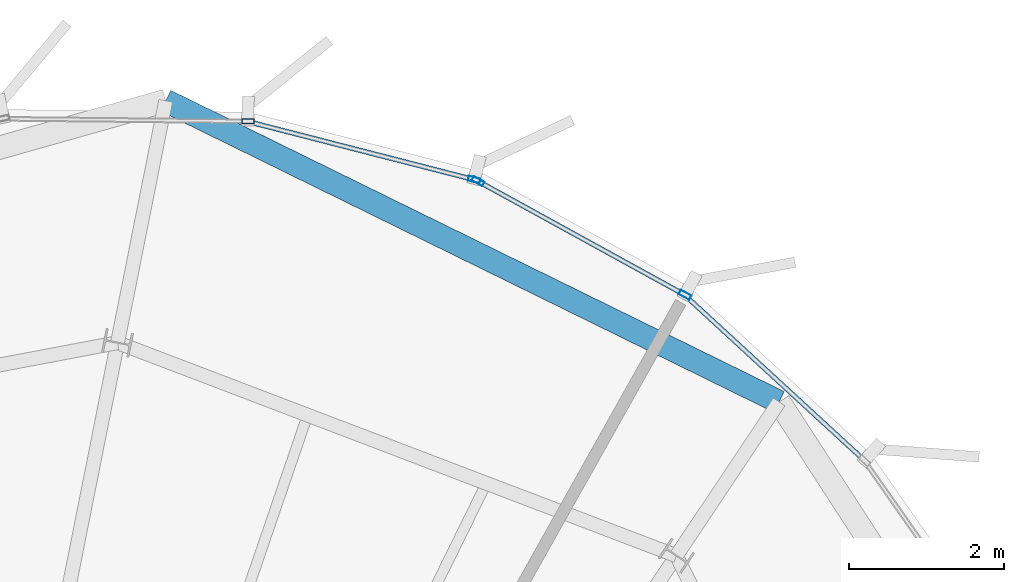
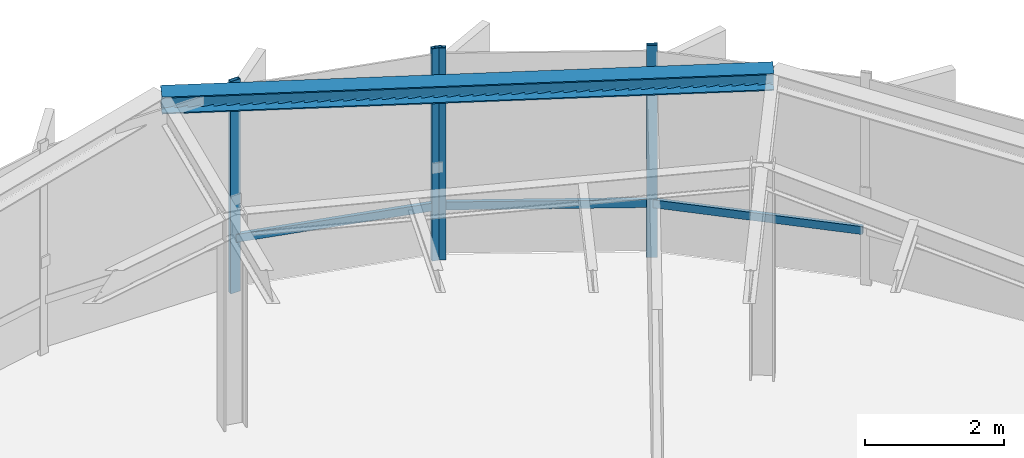
# One storey, part 19 of 27: 7 members, 1 beam, 2 elements without a shape of their own.
"""IFC4 building model written with IfcOpenShell, lengths in metres."""

from ifc_helpers import new_model, si_unit, direction, frame, origin, origin_2d, place, context, subcontext, project, spatial, hollow_rectangle, i_section, extrude, source, transform, mapped, material, layer, layer_set, material_profile, profile_set, type_object, element, aggregate, save


model = new_model("IFC4")

# Units and contexts
model_context = context("Model", 3, precision=1e-05, world=origin(), true_north=direction((0.0, 1.0)))
body_context = subcontext(model_context, "Body", "Model", "MODEL_VIEW")
ifc_project = project(units=[si_unit("LENGTHUNIT", "METRE"), si_unit("AREAUNIT", "SQUARE_METRE"), si_unit("VOLUMEUNIT", "CUBIC_METRE"), si_unit("PLANEANGLEUNIT", "RADIAN"), si_unit("MASSUNIT", "GRAM", prefix="KILO"), si_unit("THERMODYNAMICTEMPERATUREUNIT", "KELVIN")], contexts=[model_context])

# Site, building, storey
site_placement = place(None, origin())
site = spatial("IfcSite", under=ifc_project, at=site_placement, CompositionType="ELEMENT")
building_placement = place(site_placement, origin())
building = spatial("IfcBuilding", under=site, at=building_placement, Name="Kethvar Cultural Tower", CompositionType="ELEMENT")
storey_placement = place(building_placement, frame((0.0, 0.0, 308.300048828125)))
storey = spatial("IfcBuildingStorey", under=building, at=storey_placement, Name="L82", CompositionType="ELEMENT", Elevation=308.300048828125)

# Beam
ifc_material_1 = material(Name="Steel S355J2", Category="steel")
ifc_material_profile_1 = material_profile(ifc_material_1, i_section(OverallWidth=0.300048828125, OverallDepth=0.300048828125, WebThickness=0.010986328125, FlangeThickness=0.01904296875, FilletRadius=0.027099609375, at=origin_2d()), Name="Steel S355J2 — HEB300")
ifc_profile_set_1 = profile_set([ifc_material_profile_1], Name="Steel S355J2 — HEB300")
beam_type = type_object("IfcBeamType", Name="BM-SP300", PredefinedType="SPANDREL", material=ifc_profile_set_1)
shared_shape_1 = source(origin(), body_context, "Body", "SweptSolid", [
    extrude(i_section(OverallWidth=0.300048828125, OverallDepth=0.300048828125, WebThickness=0.010986328125, FlangeThickness=0.01904296875, FilletRadius=0.027099609375, at=origin_2d()), origin(), (0.0, 0.0, 1.0), 8.841796875),
])
beam_placement = place(storey_placement, frame((59.20458984375, 46.364501953125, 3.5830078125), z_axis=(-0.897634442877, 0.440740748015, 0.0), x_axis=(-0.440740748015, -0.897634442877, 0.0)))
element("IfcBeam", 1, at=beam_placement, inside=storey, type_object=beam_type, Name="L82 Perimeter Spandrel Beam SP-03", PredefinedType="SPANDREL", context=body_context, shape_type="MappedRepresentation", body=[
    mapped(shared_shape_1, transform((0.0, 0.0, 0.0), scale=1.0)),
])

# Curtain wall, members
ifc_material_2 = material(Name="Aluminium 6063-T6", Category="aluminium")
ifc_layer = layer(ifc_material_2, 0.179931640625, Name="Aluminium 6063-T6", Category="aluminium")
ifc_layer_set = layer_set([ifc_layer], Name="Aluminium 6063-T6 (180 mm)")
curtain_wall_type = type_object("IfcCurtainWallType", Name="CW-SYS-06-CROWN", PredefinedType="NOTDEFINED", material=ifc_layer_set)
curtain_wall_1_placement = place(storey_placement, origin())
curtain_wall_1 = element("IfcCurtainWall", 2, at=curtain_wall_1_placement, inside=storey, type_object=curtain_wall_type, Name="L82 Curtain Wall Run 01", PredefinedType="NOTDEFINED")
ifc_material_profile_2 = material_profile(ifc_material_2, hollow_rectangle(XDim=0.06494140625, YDim=0.159912109375, WallThickness=0.0048828125, at=origin_2d()), Name="Aluminium 6063-T6 — RHS160x65x5")
ifc_profile_set_2 = profile_set([ifc_material_profile_2], Name="Aluminium 6063-T6 — RHS160x65x5")
member_type_1 = type_object("IfcMemberType", Name="CW-SYS-06-CROWN-MUL", PredefinedType="MULLION", material=ifc_profile_set_2)
shared_shape_2 = source(origin(), body_context, "Body", "SweptSolid", [
    extrude(hollow_rectangle(XDim=0.06494140625, YDim=0.159912109375, WallThickness=0.0048828125, at=origin_2d()), origin(), (0.0, 0.0, 1.0), 3.73486328125),
])
member_1_placement = place(storey_placement, frame((55.259765625, 49.239990234375, 0.0), z_axis=(0.0, 0.0, 1.0), x_axis=(-0.248723696944, -0.968574479624, 0.0)))
member_1 = element("IfcMember", 3, at=member_1_placement, type_object=member_type_1, Name="CW-L82-R01 Mullion 1", PredefinedType="MULLION", context=body_context, shape_type="MappedRepresentation", body=[
    mapped(shared_shape_2, transform((0.0, 0.0, 0.0), scale=1.0)),
])
member_2_placement = place(storey_placement, frame((52.331298828125, 49.99560546875, 0.0), z_axis=(0.0, 0.0, 1.0), x_axis=(-0.010314712968, -0.999946801933, 0.0)))
member_2 = element("IfcMember", 4, at=member_2_placement, type_object=member_type_1, Name="CW-L82-R01 Mullion 2", PredefinedType="MULLION", context=body_context, shape_type="MappedRepresentation", body=[
    mapped(shared_shape_2, transform((0.0, 0.0, 0.0), scale=1.0)),
])

curtain_wall_2_placement = place(storey_placement, origin())
curtain_wall_2 = element("IfcCurtainWall", 5, at=curtain_wall_2_placement, inside=storey, type_object=curtain_wall_type, Name="L82 Curtain Wall Run 06", PredefinedType="NOTDEFINED")
member_3_placement = place(storey_placement, frame((57.9853515625, 47.74951171875, 0.0), z_axis=(0.0, 0.0, 1.0), x_axis=(-0.481723084935, -0.876323495886, 0.0)))
member_3 = element("IfcMember", 6, at=member_3_placement, type_object=member_type_1, Name="CW-L82-R06 Mullion 6", PredefinedType="MULLION", context=body_context, shape_type="MappedRepresentation", body=[
    mapped(shared_shape_2, transform((0.0, 0.0, 0.0), scale=1.0)),
])
member_4_placement = place(storey_placement, frame((55.309814453125, 49.22021484375, 0.0), z_axis=(0.0, 0.0, 1.0), x_axis=(-0.481723084935, -0.876323495886, 0.0)))
member_4 = element("IfcMember", 7, at=member_4_placement, type_object=member_type_1, Name="CW-L82-R06 Mullion 7", PredefinedType="MULLION", context=body_context, shape_type="MappedRepresentation", body=[
    mapped(shared_shape_2, transform((0.0, 0.0, 0.0), scale=1.0)),
])

# Member
ifc_material_profile_3 = material_profile(ifc_material_2, hollow_rectangle(XDim=0.06005859375, YDim=0.139892578125, WallThickness=0.0048828125, at=origin_2d()), Name="Aluminium 6063-T6 — RHS140x60x5")
ifc_profile_set_3 = profile_set([ifc_material_profile_3], Name="Aluminium 6063-T6 — RHS140x60x5")
member_type_2 = type_object("IfcMemberType", Name="CW-SYS-06-CROWN-TRN", PredefinedType="USERDEFINED", material=ifc_profile_set_3)
shared_shape_3 = source(origin(), body_context, "Body", "SweptSolid", [
    extrude(hollow_rectangle(XDim=0.06005859375, YDim=0.139892578125, WallThickness=0.0048828125, at=origin_2d()), origin(), (0.0, 0.0, 1.0), 3.001708984375),
])
member_5_placement = place(storey_placement, frame((55.25537109375, 49.2412109375, 0.949951171875), z_axis=(-0.968577508821, 0.248711900409, 0.0), x_axis=(-0.248711900409, -0.968577508821, 0.0)))
member_5 = element("IfcMember", 8, at=member_5_placement, type_object=member_type_2, Name="CW-L82-R01 Transom 1", ObjectType="TRANSOM", PredefinedType="USERDEFINED", context=body_context, shape_type="MappedRepresentation", body=[
    mapped(shared_shape_3, transform((0.0, 0.0, 0.0), scale=1.0)),
])

aggregate(curtain_wall_1, [member_1, member_2, member_5])

shared_shape_4 = source(origin(), body_context, "Body", "SweptSolid", [
    extrude(hollow_rectangle(XDim=0.06005859375, YDim=0.139892578125, WallThickness=0.0048828125, at=origin_2d()), origin(), (0.0, 0.0, 1.0), 3.095947265625),
])
member_6_placement = place(storey_placement, frame((60.27490234375, 45.638671875, 0.949951171875), z_axis=(-0.735984447238, 0.676998444181, 0.0), x_axis=(-0.676998444181, -0.735984447238, 0.0)))
member_6 = element("IfcMember", 9, at=member_6_placement, type_object=member_type_2, Name="CW-L82-R06 Transom 5", ObjectType="TRANSOM", PredefinedType="USERDEFINED", context=body_context, shape_type="MappedRepresentation", body=[
    mapped(shared_shape_4, transform((0.0, 0.0, 0.0), scale=1.0)),
])

shared_shape_5 = source(origin(), body_context, "Body", "SweptSolid", [
    extrude(hollow_rectangle(XDim=0.06005859375, YDim=0.139892578125, WallThickness=0.0048828125, at=origin_2d()), origin(), (0.0, 0.0, 1.0), 3.001953125),
])
member_7_placement = place(storey_placement, frame((57.9443359375, 47.77197265625, 0.949951171875), z_axis=(-0.87632749887, 0.481715802859, 0.0), x_axis=(-0.481715802859, -0.87632749887, 0.0)))
member_7 = element("IfcMember", 10, at=member_7_placement, type_object=member_type_2, Name="CW-L82-R06 Transom 6", ObjectType="TRANSOM", PredefinedType="USERDEFINED", context=body_context, shape_type="MappedRepresentation", body=[
    mapped(shared_shape_5, transform((0.0, 0.0, 0.0), scale=1.0)),
])

aggregate(curtain_wall_2, [member_3, member_4, member_6, member_7])

save(model, "model.ifc")
